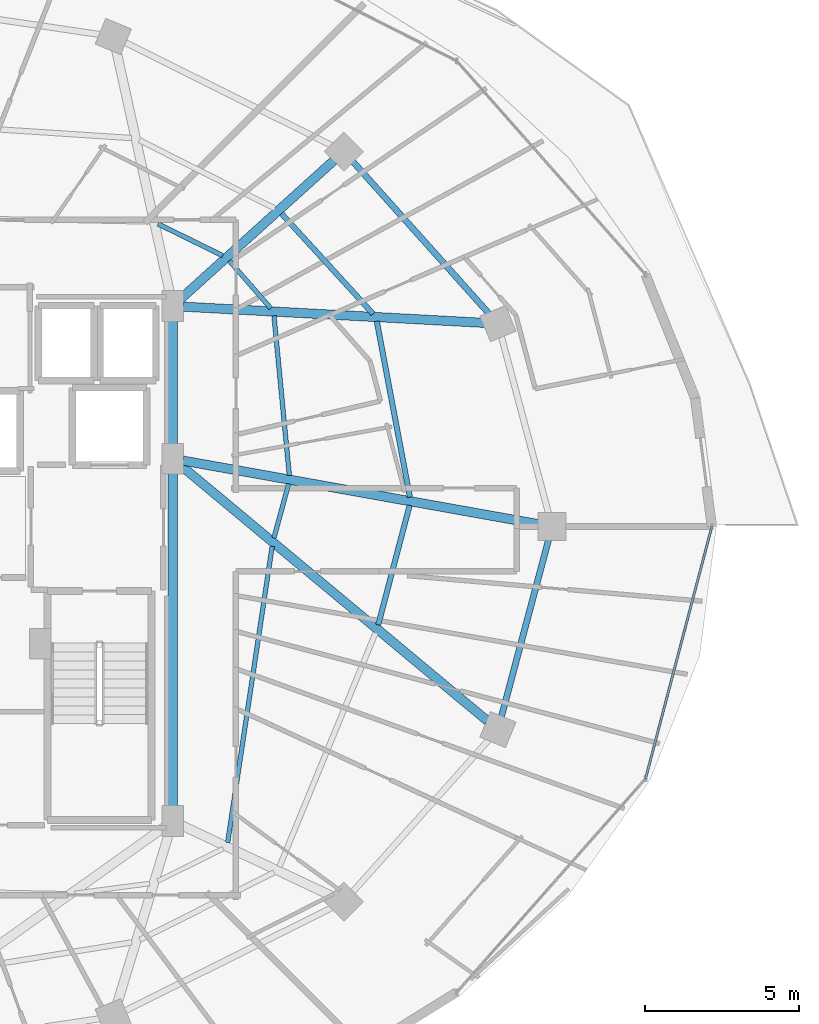
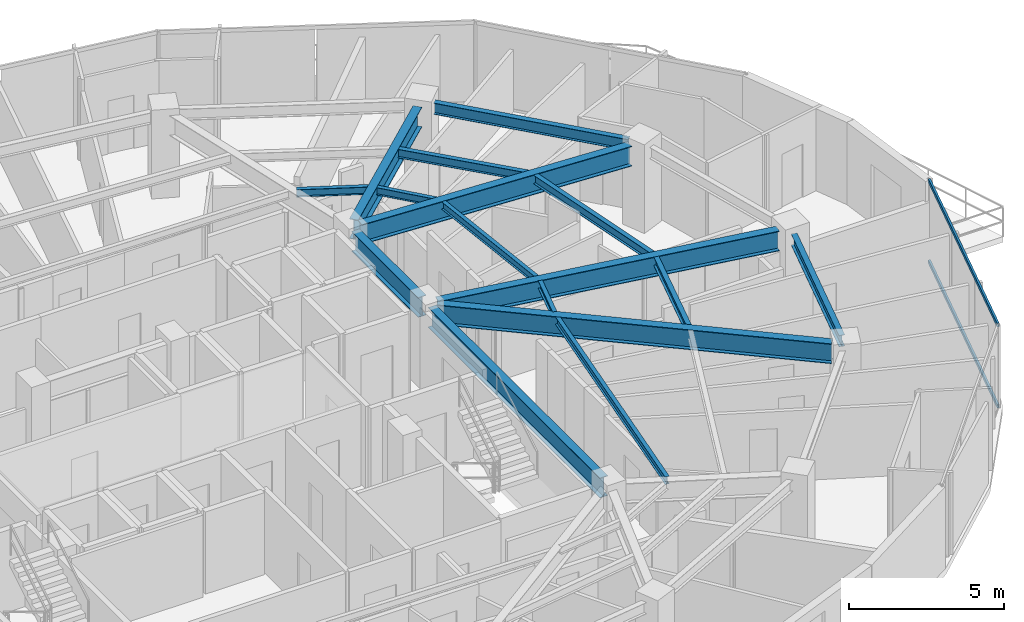
# One storey, part 14 of 33: 16 beams, 2 members, 1 element without a shape of its own.
"""IFC4 building model written with IfcOpenShell, lengths in metres."""

from ifc_helpers import new_model, si_unit, direction, frame, origin, origin_2d, place, context, subcontext, project, spatial, hollow_rectangle, i_section, extrude, material, material_profile, profile_set, type_object, element, aggregate, save


model = new_model("IFC4")

# Units and contexts
model_context = context("Model", 3, precision=1e-05, world=origin(), true_north=direction((0.0, 1.0)))
body_context = subcontext(model_context, "Body", "Model", "MODEL_VIEW")
ifc_project = project(units=[si_unit("LENGTHUNIT", "METRE"), si_unit("AREAUNIT", "SQUARE_METRE"), si_unit("VOLUMEUNIT", "CUBIC_METRE"), si_unit("PLANEANGLEUNIT", "RADIAN"), si_unit("MASSUNIT", "GRAM", prefix="KILO")], contexts=[model_context])

# Site, building, storey
site_placement = place(None, origin())
site = spatial("IfcSite", under=ifc_project, at=site_placement, CompositionType="ELEMENT")
building_placement = place(site_placement, origin())
building = spatial("IfcBuilding", under=site, at=building_placement, Name="Vorneva Point Tower", CompositionType="ELEMENT")
storey_placement = place(building_placement, frame((0.0, 0.0, 179.10009765625)))
storey = spatial("IfcBuildingStorey", under=building, at=storey_placement, Name="L48", CompositionType="ELEMENT", Elevation=179.10009765625)

# Beams
ifc_material_1 = material(Name="Steel S355", Category="steel")
ifc_material_profile_1 = material_profile(ifc_material_1, i_section(OverallWidth=0.300048828125, OverallDepth=0.7880859375, WebThickness=0.014404296875, FlangeThickness=0.02197265625, at=origin_2d()), Name="80Sh1")
ifc_profile_set_1 = profile_set([ifc_material_profile_1], Name="Steel S355")
beam_type_1 = type_object("IfcBeamType", Name="BM-GRD-80Sh1", PredefinedType="USERDEFINED", material=ifc_profile_set_1)
beam_1_placement = place(storey_placement, frame((60.618896484375, 26.0771484375, 2.845947265625), z_axis=(-0.984378602255, 0.176064668298, 0.0), x_axis=(-0.176064668298, -0.984378602255, 0.0)))
element("IfcBeam", 1, at=beam_1_placement, inside=storey, type_object=beam_type_1, Name="L48 Radial Primary Girder 01", ObjectType="GIRDER", PredefinedType="USERDEFINED", context=body_context, shape_type="SweptSolid", body=[
    extrude(i_section(OverallWidth=0.300048828125, OverallDepth=0.7880859375, WebThickness=0.014404296875, FlangeThickness=0.02197265625, at=origin_2d()), origin(), (0.0, 0.0, 1.0), 11.71728515625),
])
beam_2_placement = place(storey_placement, frame((58.85791015625, 32.605712890625, 2.845947265625), z_axis=(-0.998554028182, 0.053757351146, 0.0), x_axis=(-0.053757351146, -0.998554028182, 0.0)))
element("IfcBeam", 2, at=beam_2_placement, inside=storey, type_object=beam_type_1, Name="L48 Radial Primary Girder 02", ObjectType="GIRDER", PredefinedType="USERDEFINED", context=body_context, shape_type="SweptSolid", body=[
    extrude(i_section(OverallWidth=0.300048828125, OverallDepth=0.7880859375, WebThickness=0.014404296875, FlangeThickness=0.02197265625, at=origin_2d()), origin(), (0.0, 0.0, 1.0), 9.782470703125),
])
beam_3_placement = place(storey_placement, frame((53.973876953125, 37.86865234375, 2.845947265625), z_axis=(-0.742089778537, -0.670300500217, 0.0), x_axis=(0.670300500217, -0.742089778537, 0.0)))
element("IfcBeam", 3, at=beam_3_placement, inside=storey, type_object=beam_type_1, Name="L48 Radial Primary Girder 03", ObjectType="GIRDER", PredefinedType="USERDEFINED", context=body_context, shape_type="SweptSolid", body=[
    extrude(i_section(OverallWidth=0.300048828125, OverallDepth=0.7880859375, WebThickness=0.014404296875, FlangeThickness=0.02197265625, at=origin_2d()), origin(), (0.0, 0.0, 1.0), 6.699462890625),
])
beam_4_placement = place(storey_placement, frame((58.958740234375, 19.697998046875, 2.845947265625), z_axis=(-0.768417564517, 0.639948784311, 0.0), x_axis=(-0.639948784311, -0.768417564517, 0.0)))
element("IfcBeam", 4, at=beam_4_placement, inside=storey, type_object=beam_type_1, Name="L48 Radial Primary Girder 16", ObjectType="GIRDER", PredefinedType="USERDEFINED", context=body_context, shape_type="SweptSolid", body=[
    extrude(i_section(OverallWidth=0.300048828125, OverallDepth=0.7880859375, WebThickness=0.014404296875, FlangeThickness=0.02197265625, at=origin_2d()), origin(), (0.0, 0.0, 1.0), 12.945556640625),
])
beam_5_placement = place(storey_placement, frame((48.75, 16.77001953125, 2.845947265625), z_axis=(0.0, 1.0, 0.0), x_axis=(-1.0, 0.0, 0.0)))
element("IfcBeam", 5, at=beam_5_placement, inside=storey, type_object=beam_type_1, Name="L48 Core Tie Girder CT3", ObjectType="GIRDER", PredefinedType="USERDEFINED", context=body_context, shape_type="SweptSolid", body=[
    extrude(i_section(OverallWidth=0.300048828125, OverallDepth=0.7880859375, WebThickness=0.014404296875, FlangeThickness=0.02197265625, at=origin_2d()), origin(), (0.0, 0.0, 1.0), 11.10986328125),
])
beam_6_placement = place(storey_placement, frame((48.75, 28.52001953125, 2.845947265625), z_axis=(0.0, 1.0, 0.0), x_axis=(-1.0, 0.0, 0.0)))
element("IfcBeam", 6, at=beam_6_placement, inside=storey, type_object=beam_type_1, Name="L48 Core Tie Girder CT4", ObjectType="GIRDER", PredefinedType="USERDEFINED", context=body_context, shape_type="SweptSolid", body=[
    extrude(i_section(OverallWidth=0.300048828125, OverallDepth=0.7880859375, WebThickness=0.014404296875, FlangeThickness=0.02197265625, at=origin_2d()), origin(), (0.0, 0.0, 1.0), 4.31005859375),
])
ifc_material_profile_2 = material_profile(ifc_material_1, i_section(OverallWidth=0.14892578125, OverallDepth=0.298095703125, WebThickness=0.005615234375, FlangeThickness=0.008056640625, at=origin_2d()), Name="30B1")
ifc_profile_set_2 = profile_set([ifc_material_profile_2], Name="Steel S355")
beam_type_2 = type_object("IfcBeamType", Name="BM-JST-30B1", PredefinedType="JOIST", material=ifc_profile_set_2)
beam_7_placement = place(storey_placement, frame((52.53173828125, 27.65869140625, 3.0908203125), z_axis=(-0.095841188908, 0.995396637783, 0.0), x_axis=(-0.995396637783, -0.095841188908, 0.0)))
element("IfcBeam", 7, at=beam_7_placement, inside=storey, type_object=beam_type_2, Name="L48 Secondary Floor Beam 2.01", PredefinedType="JOIST", context=body_context, shape_type="SweptSolid", body=[
    extrude(i_section(OverallWidth=0.14892578125, OverallDepth=0.298095703125, WebThickness=0.005615234375, FlangeThickness=0.008056640625, at=origin_2d()), origin(), (0.0, 0.0, 1.0), 5.20166015625),
])
beam_8_placement = place(storey_placement, frame((51.929443359375, 33.077880859375, 3.0908203125), z_axis=(-0.657025730744, 0.753868151032, 0.0), x_axis=(-0.753868151032, -0.657025730744, 0.0)))
element("IfcBeam", 8, at=beam_8_placement, inside=storey, type_object=beam_type_2, Name="L48 Secondary Floor Beam 2.02", PredefinedType="JOIST", context=body_context, shape_type="SweptSolid", body=[
    extrude(i_section(OverallWidth=0.14892578125, OverallDepth=0.298095703125, WebThickness=0.005615234375, FlangeThickness=0.008056640625, at=origin_2d()), origin(), (0.0, 0.0, 1.0), 2.047119140625),
])
beam_9_placement = place(storey_placement, frame((50.369873046875, 34.785888671875, 3.0908203125), z_axis=(-0.897704429199, 0.440598181789, 0.0), x_axis=(-0.440598181789, -0.897704429199, 0.0)))
element("IfcBeam", 9, at=beam_9_placement, inside=storey, type_object=beam_type_2, Name="L48 Secondary Floor Beam 2.03", PredefinedType="JOIST", context=body_context, shape_type="SweptSolid", body=[
    extrude(i_section(OverallWidth=0.14892578125, OverallDepth=0.298095703125, WebThickness=0.005615234375, FlangeThickness=0.008056640625, at=origin_2d()), origin(), (0.0, 0.0, 1.0), 2.336669921875),
])
beam_10_placement = place(storey_placement, frame((50.531494140625, 15.75732421875, 3.0908203125), z_axis=(0.14865392948, 0.988889280582, 0.0), x_axis=(-0.988889280582, 0.14865392948, 0.0)))
element("IfcBeam", 10, at=beam_10_placement, inside=storey, type_object=beam_type_2, Name="L48 Secondary Floor Beam 2.15", PredefinedType="JOIST", context=body_context, shape_type="SweptSolid", body=[
    extrude(i_section(OverallWidth=0.14892578125, OverallDepth=0.298095703125, WebThickness=0.005615234375, FlangeThickness=0.008056640625, at=origin_2d()), origin(), (0.0, 0.0, 1.0), 9.711181640625),
])
beam_11_placement = place(storey_placement, frame((52.03173828125, 25.63037109375, 3.0908203125), z_axis=(0.261948847975, 0.965081758736, 0.0), x_axis=(-0.965081758736, 0.261948847975, 0.0)))
element("IfcBeam", 11, at=beam_11_placement, inside=storey, type_object=beam_type_2, Name="L48 Secondary Floor Beam 2.16", PredefinedType="JOIST", context=body_context, shape_type="SweptSolid", body=[
    extrude(i_section(OverallWidth=0.14892578125, OverallDepth=0.298095703125, WebThickness=0.005615234375, FlangeThickness=0.008056640625, at=origin_2d()), origin(), (0.0, 0.0, 1.0), 1.821044921875),
])
ifc_material_profile_3 = material_profile(ifc_material_1, i_section(OverallWidth=0.174072265625, OverallDepth=0.345947265625, WebThickness=0.006103515625, FlangeThickness=0.009033203125, at=origin_2d()), Name="35B1")
ifc_profile_set_3 = profile_set([ifc_material_profile_3], Name="Steel S355")
beam_type_3 = type_object("IfcBeamType", Name="BM-SEC-35B1", PredefinedType="BEAM", material=ifc_profile_set_3)
beam_12_placement = place(storey_placement, frame((56.44091796875, 26.955322265625, 3.06689453125), z_axis=(-0.1850300408, 0.982732865026, 0.0), x_axis=(-0.982732865026, -0.1850300408, 0.0)))
element("IfcBeam", 12, at=beam_12_placement, inside=storey, type_object=beam_type_3, Name="L48 Secondary Floor Beam 1.01", PredefinedType="BEAM", context=body_context, shape_type="SweptSolid", body=[
    extrude(i_section(OverallWidth=0.174072265625, OverallDepth=0.345947265625, WebThickness=0.006103515625, FlangeThickness=0.009033203125, at=origin_2d()), origin(), (0.0, 0.0, 1.0), 5.804443359375),
])
beam_13_placement = place(storey_placement, frame((55.248291015625, 32.89697265625, 3.06689453125), z_axis=(-0.674381040012, 0.738383513407, 0.0), x_axis=(-0.738383513407, -0.674381040012, 0.0)))
element("IfcBeam", 13, at=beam_13_placement, inside=storey, type_object=beam_type_3, Name="L48 Secondary Floor Beam 1.02", PredefinedType="BEAM", context=body_context, shape_type="SweptSolid", body=[
    extrude(i_section(OverallWidth=0.174072265625, OverallDepth=0.345947265625, WebThickness=0.006103515625, FlangeThickness=0.009033203125, at=origin_2d()), origin(), (0.0, 0.0, 1.0), 4.40576171875),
])
beam_14_placement = place(storey_placement, frame((55.412841796875, 22.81396484375, 3.06689453125), z_axis=(0.254382249657, 0.96710375403, 0.0), x_axis=(-0.96710375403, 0.254382249657, 0.0)))
element("IfcBeam", 14, at=beam_14_placement, inside=storey, type_object=beam_type_3, Name="L48 Secondary Floor Beam 1.16", PredefinedType="BEAM", context=body_context, shape_type="SweptSolid", body=[
    extrude(i_section(OverallWidth=0.174072265625, OverallDepth=0.345947265625, WebThickness=0.006103515625, FlangeThickness=0.009033203125, at=origin_2d()), origin(), (0.0, 0.0, 1.0), 4.004150390625),
])
ifc_material_profile_4 = material_profile(ifc_material_1, i_section(OverallWidth=0.198974609375, OverallDepth=0.446044921875, WebThickness=0.008056640625, FlangeThickness=0.011962890625, at=origin_2d()), Name="45B1")
ifc_profile_set_4 = profile_set([ifc_material_profile_4], Name="Steel S355")
beam_type_4 = type_object("IfcBeamType", Name="BM-SPN-45B1", PredefinedType="SPANDREL", material=ifc_profile_set_4)
beam_15_placement = place(storey_placement, frame((59.005126953125, 32.90625, 3.016845703125), z_axis=(-0.66706970547, 0.744995307397, 0.0), x_axis=(-0.744995307397, -0.66706970547, 0.0)))
element("IfcBeam", 15, at=beam_15_placement, inside=storey, type_object=beam_type_4, Name="L48 Perimeter Spandrel Ring Beam 02", PredefinedType="SPANDREL", context=body_context, shape_type="SweptSolid", body=[
    extrude(i_section(OverallWidth=0.198974609375, OverallDepth=0.446044921875, WebThickness=0.008056640625, FlangeThickness=0.011962890625, at=origin_2d()), origin(), (0.0, 0.0, 1.0), 6.6201171875),
])
beam_16_placement = place(storey_placement, frame((59.407470703125, 19.838134765625, 3.016845703125), z_axis=(0.257578258003, 0.966257440336, 0.0), x_axis=(-0.966257440336, 0.257578258003, 0.0)))
element("IfcBeam", 16, at=beam_16_placement, inside=storey, type_object=beam_type_4, Name="L48 Perimeter Spandrel Ring Beam 16", PredefinedType="SPANDREL", context=body_context, shape_type="SweptSolid", body=[
    extrude(i_section(OverallWidth=0.198974609375, OverallDepth=0.446044921875, WebThickness=0.008056640625, FlangeThickness=0.011962890625, at=origin_2d()), origin(), (0.0, 0.0, 1.0), 5.94189453125),
])

# Curtain wall, members
ifc_material_2 = material(Name="Pale anodised aluminium", Category="aluminium")
curtain_wall_type = type_object("IfcCurtainWallType", Name="CW-RES-SYS", PredefinedType="NOTDEFINED", material=ifc_material_2)
curtain_wall_placement = place(storey_placement, origin())
curtain_wall = element("IfcCurtainWall", 17, at=curtain_wall_placement, inside=storey, type_object=curtain_wall_type, Name="L48 Unitised Curtain Wall CW-L48-R04", PredefinedType="NOTDEFINED")
ifc_material_profile_5 = material_profile(ifc_material_2, hollow_rectangle(XDim=0.074951171875, YDim=0.14990234375, WallThickness=0.00390625, at=origin_2d()), Name="AL-TRN 150x75x4")
ifc_profile_set_5 = profile_set([ifc_material_profile_5], Name="Pale anodised aluminium")
member_type = type_object("IfcMemberType", Name="CW-TRN-150", PredefinedType="USERDEFINED", material=ifc_profile_set_5)
member_1_placement = place(storey_placement, frame((64.0810546875, 17.82958984375, 0.02001953125), z_axis=(0.254362431281, 0.967108966742, 0.0), x_axis=(-0.967108966742, 0.254362431281, 0.0)))
member_1 = element("IfcMember", 18, at=member_1_placement, type_object=member_type, Name="CW-L48-R04 Transom 02.1", ObjectType="TRANSOM", PredefinedType="USERDEFINED", context=body_context, shape_type="SweptSolid", body=[
    extrude(hollow_rectangle(XDim=0.074951171875, YDim=0.14990234375, WallThickness=0.00390625, at=origin_2d()), origin(), (0.0, 0.0, 1.0), 8.4482421875),
])
member_2_placement = place(storey_placement, frame((64.0810546875, 17.82958984375, 3.219970703125), z_axis=(0.254362431281, 0.967108966742, 0.0), x_axis=(-0.967108966742, 0.254362431281, 0.0)))
member_2 = element("IfcMember", 19, at=member_2_placement, type_object=member_type, Name="CW-L48-R04 Transom 02.2", ObjectType="TRANSOM", PredefinedType="USERDEFINED", context=body_context, shape_type="SweptSolid", body=[
    extrude(hollow_rectangle(XDim=0.074951171875, YDim=0.14990234375, WallThickness=0.00390625, at=origin_2d()), origin(), (0.0, 0.0, 1.0), 8.4482421875),
])
aggregate(curtain_wall, [member_1, member_2])

save(model, "model.ifc")
